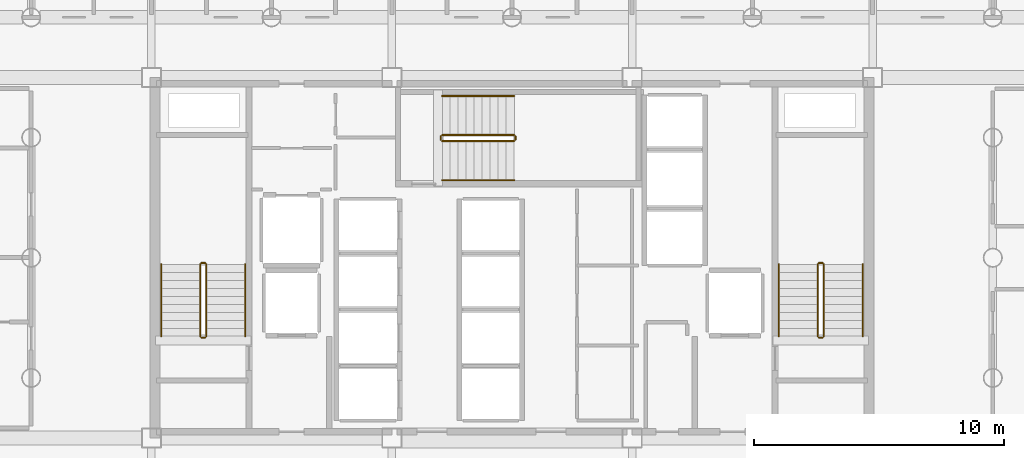
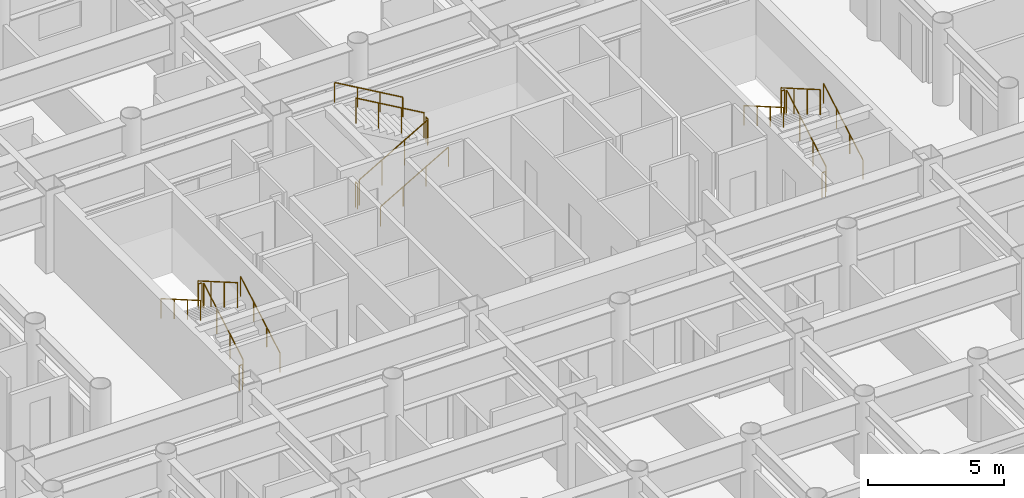
# One storey, part 21 of 21: 18 railings.
"""IFC4 building model written with IfcOpenShell, lengths in metres."""

from ifc_helpers import new_model, si_unit, direction, frame, origin, origin_2d, place, context, subcontext, project, spatial, circle, extrude, material, layer, layer_set, type_object, element, save


model = new_model("IFC4")

# Units and contexts
model_context = context("Model", 3, precision=1e-05, world=origin(), true_north=direction((0.0, 1.0)))
body_context = subcontext(model_context, "Body", "Model", "MODEL_VIEW")
ifc_project = project(units=[si_unit("LENGTHUNIT", "METRE"), si_unit("AREAUNIT", "SQUARE_METRE"), si_unit("VOLUMEUNIT", "CUBIC_METRE"), si_unit("PLANEANGLEUNIT", "RADIAN"), si_unit("MASSUNIT", "GRAM", prefix="KILO")], contexts=[model_context])

# Site, building, storey
site_placement = place(None, origin())
site = spatial("IfcSite", under=ifc_project, at=site_placement, CompositionType="ELEMENT")
building_placement = place(site_placement, origin())
building = spatial("IfcBuilding", under=site, at=building_placement, Name="Kallvorn Hotel Tower", CompositionType="ELEMENT")
storey_placement = place(building_placement, frame((0.0, 0.0, 85.5)))
storey = spatial("IfcBuildingStorey", under=building, at=storey_placement, Name="L20", CompositionType="ELEMENT", Elevation=85.5)

# Railings
ifc_material_1 = material(Name="Brushed stainless-steel tubular railing", Category="steel")
ifc_layer_1 = layer(ifc_material_1, 0.050048828125)
ifc_layer_set_1 = layer_set([ifc_layer_1], Name="RL_STAIR_GUARD")
railing_type_1 = type_object("IfcRailingType", Name="RL_STAIR_GUARD", PredefinedType="GUARDRAIL", material=ifc_layer_set_1)
railing_1_placement = place(storey_placement, frame((-12.2099609375, -3.139892578125, 0.18505859375)))
element("IfcRailing", 1, at=railing_1_placement, inside=storey, type_object=railing_type_1, Name="L20 ST1 stair guard 1", PredefinedType="GUARDRAIL", context=body_context, shape_type="SweptSolid", body=[
    extrude(circle(Radius=0.02392578125, at=origin_2d()), frame((0.0, 0.0, 1.1259765625), z_axis=(0.0, 0.865720918037, 0.500527014328), x_axis=(-1.0, 0.0, 0.0)), (0.0, 0.0, 1.0), 3.32666015625),
    extrude(circle(Radius=0.02099609375, at=origin_2d()), origin(), (0.0, 0.0, 1.0), 1.101806640625),
    extrude(circle(Radius=0.02099609375, at=origin_2d()), frame((0.0, 0.9599609375, 0.554931640625)), (0.0, 0.0, 1.0), 1.101806640625),
    extrude(circle(Radius=0.02099609375, at=origin_2d()), frame((0.0, 1.919921875, 1.110107421875)), (0.0, 0.0, 1.0), 1.101806640625),
    extrude(circle(Radius=0.02099609375, at=origin_2d()), frame((0.0, 2.8798828125, 1.6650390625)), (0.0, 0.0, 1.0), 1.101806640625),
])
railing_2_placement = place(storey_placement, frame((-12.260009765625, -0.2099609375, 1.85009765625)))
element("IfcRailing", 2, at=railing_2_placement, inside=storey, type_object=railing_type_1, Name="L20 ST1 stair guard 2", PredefinedType="GUARDRAIL", context=body_context, shape_type="SweptSolid", body=[
    extrude(circle(Radius=0.02392578125, at=origin_2d()), frame((0.0, 0.0, 1.1259765625), z_axis=(-1.0, 0.0, 0.0), x_axis=(0.0, -1.0, 0.0)), (0.0, 0.0, 1.0), 0.139892578125),
    extrude(circle(Radius=0.02099609375, at=origin_2d()), origin(), (0.0, 0.0, 1.0), 1.101806640625),
    extrude(circle(Radius=0.02099609375, at=origin_2d()), frame((-0.139892578125, 0.0, 0.0)), (0.0, 0.0, 1.0), 1.101806640625),
])
railing_3_placement = place(storey_placement, frame((-12.449951171875, -0.260009765625, 2.034912109375)))
element("IfcRailing", 3, at=railing_3_placement, inside=storey, type_object=railing_type_1, Name="L20 ST1 stair guard 3", PredefinedType="GUARDRAIL", context=body_context, shape_type="SweptSolid", body=[
    extrude(circle(Radius=0.02392578125, at=origin_2d()), frame((0.0, 0.0, 1.1259765625), z_axis=(0.0, -0.865720918037, 0.500527014328), x_axis=(1.0, 0.0, 0.0)), (0.0, 0.0, 1.0), 3.32666015625),
    extrude(circle(Radius=0.02099609375, at=origin_2d()), origin(), (0.0, 0.0, 1.0), 1.101806640625),
    extrude(circle(Radius=0.02099609375, at=origin_2d()), frame((0.0, -0.9599609375, 0.554931640625)), (0.0, 0.0, 1.0), 1.101806640625),
    extrude(circle(Radius=0.02099609375, at=origin_2d()), frame((0.0, -1.919921875, 1.110107421875)), (0.0, 0.0, 1.0), 1.101806640625),
    extrude(circle(Radius=0.02099609375, at=origin_2d()), frame((0.0, -2.8798828125, 1.6650390625)), (0.0, 0.0, 1.0), 1.101806640625),
])
railing_4_placement = place(storey_placement, frame((-12.260009765625, -3.18994140625, 0.0)))
element("IfcRailing", 4, at=railing_4_placement, inside=storey, type_object=railing_type_1, Name="L20 ST1 stair guard 4", PredefinedType="GUARDRAIL", context=body_context, shape_type="SweptSolid", body=[
    extrude(circle(Radius=0.02392578125, at=origin_2d()), frame((0.0, 0.0, 1.1259765625), z_axis=(-1.0, 0.0, 0.0), x_axis=(0.0, -1.0, 0.0)), (0.0, 0.0, 1.0), 0.139892578125),
    extrude(circle(Radius=0.02099609375, at=origin_2d()), origin(), (0.0, 0.0, 1.0), 1.101806640625),
    extrude(circle(Radius=0.02099609375, at=origin_2d()), frame((-0.139892578125, 0.0, 0.0)), (0.0, 0.0, 1.0), 1.101806640625),
])
railing_5_placement = place(storey_placement, frame((12.449951171875, -3.139892578125, 0.18505859375)))
element("IfcRailing", 5, at=railing_5_placement, inside=storey, type_object=railing_type_1, Name="L20 ST2 stair guard 1", PredefinedType="GUARDRAIL", context=body_context, shape_type="SweptSolid", body=[
    extrude(circle(Radius=0.02392578125, at=origin_2d()), frame((0.0, 0.0, 1.1259765625), z_axis=(0.0, 0.865720918037, 0.500527014328), x_axis=(-1.0, 0.0, 0.0)), (0.0, 0.0, 1.0), 3.32666015625),
    extrude(circle(Radius=0.02099609375, at=origin_2d()), origin(), (0.0, 0.0, 1.0), 1.101806640625),
    extrude(circle(Radius=0.02099609375, at=origin_2d()), frame((0.0, 0.9599609375, 0.554931640625)), (0.0, 0.0, 1.0), 1.101806640625),
    extrude(circle(Radius=0.02099609375, at=origin_2d()), frame((0.0, 1.919921875, 1.110107421875)), (0.0, 0.0, 1.0), 1.101806640625),
    extrude(circle(Radius=0.02099609375, at=origin_2d()), frame((0.0, 2.8798828125, 1.6650390625)), (0.0, 0.0, 1.0), 1.101806640625),
])
railing_6_placement = place(storey_placement, frame((12.39990234375, -0.2099609375, 1.85009765625)))
element("IfcRailing", 6, at=railing_6_placement, inside=storey, type_object=railing_type_1, Name="L20 ST2 stair guard 2", PredefinedType="GUARDRAIL", context=body_context, shape_type="SweptSolid", body=[
    extrude(circle(Radius=0.02392578125, at=origin_2d()), frame((0.0, 0.0, 1.1259765625), z_axis=(-1.0, 0.0, 0.0), x_axis=(0.0, -1.0, 0.0)), (0.0, 0.0, 1.0), 0.139892578125),
    extrude(circle(Radius=0.02099609375, at=origin_2d()), origin(), (0.0, 0.0, 1.0), 1.101806640625),
    extrude(circle(Radius=0.02099609375, at=origin_2d()), frame((-0.139892578125, 0.0, 0.0)), (0.0, 0.0, 1.0), 1.101806640625),
])
railing_7_placement = place(storey_placement, frame((12.2099609375, -0.260009765625, 2.034912109375)))
element("IfcRailing", 7, at=railing_7_placement, inside=storey, type_object=railing_type_1, Name="L20 ST2 stair guard 3", PredefinedType="GUARDRAIL", context=body_context, shape_type="SweptSolid", body=[
    extrude(circle(Radius=0.02392578125, at=origin_2d()), frame((0.0, 0.0, 1.1259765625), z_axis=(0.0, -0.865720918037, 0.500527014328), x_axis=(1.0, 0.0, 0.0)), (0.0, 0.0, 1.0), 3.32666015625),
    extrude(circle(Radius=0.02099609375, at=origin_2d()), origin(), (0.0, 0.0, 1.0), 1.101806640625),
    extrude(circle(Radius=0.02099609375, at=origin_2d()), frame((0.0, -0.9599609375, 0.554931640625)), (0.0, 0.0, 1.0), 1.101806640625),
    extrude(circle(Radius=0.02099609375, at=origin_2d()), frame((0.0, -1.919921875, 1.110107421875)), (0.0, 0.0, 1.0), 1.101806640625),
    extrude(circle(Radius=0.02099609375, at=origin_2d()), frame((0.0, -2.8798828125, 1.6650390625)), (0.0, 0.0, 1.0), 1.101806640625),
])
railing_8_placement = place(storey_placement, frame((12.39990234375, -3.18994140625, 0.0)))
element("IfcRailing", 8, at=railing_8_placement, inside=storey, type_object=railing_type_1, Name="L20 ST2 stair guard 4", PredefinedType="GUARDRAIL", context=body_context, shape_type="SweptSolid", body=[
    extrude(circle(Radius=0.02392578125, at=origin_2d()), frame((0.0, 0.0, 1.1259765625), z_axis=(-1.0, 0.0, 0.0), x_axis=(0.0, -1.0, 0.0)), (0.0, 0.0, 1.0), 0.139892578125),
    extrude(circle(Radius=0.02099609375, at=origin_2d()), origin(), (0.0, 0.0, 1.0), 1.101806640625),
    extrude(circle(Radius=0.02099609375, at=origin_2d()), frame((-0.139892578125, 0.0, 0.0)), (0.0, 0.0, 1.0), 1.101806640625),
])
railing_9_placement = place(storey_placement, frame((-2.7900390625, 4.659912109375, 0.18505859375)))
element("IfcRailing", 9, at=railing_9_placement, inside=storey, type_object=railing_type_1, Name="L20 ST3 stair guard 1", PredefinedType="GUARDRAIL", context=body_context, shape_type="SweptSolid", body=[
    extrude(circle(Radius=0.02392578125, at=origin_2d()), frame((0.0, 0.0, 1.1259765625), z_axis=(0.865739302748, 0.0, 0.50049521444), x_axis=(0.0, 1.0, 0.0)), (0.0, 0.0, 1.0), 3.326904296875),
    extrude(circle(Radius=0.02099609375, at=origin_2d()), origin(), (0.0, 0.0, 1.0), 1.101806640625),
    extrude(circle(Radius=0.02099609375, at=origin_2d()), frame((0.9599609375, 0.0, 0.554931640625)), (0.0, 0.0, 1.0), 1.101806640625),
    extrude(circle(Radius=0.02099609375, at=origin_2d()), frame((1.920166015625, 0.0, 1.110107421875)), (0.0, 0.0, 1.0), 1.101806640625),
    extrude(circle(Radius=0.02099609375, at=origin_2d()), frame((2.880126953125, 0.0, 1.6650390625)), (0.0, 0.0, 1.0), 1.101806640625),
])
railing_10_placement = place(storey_placement, frame((0.139892578125, 4.7099609375, 1.85009765625)))
element("IfcRailing", 10, at=railing_10_placement, inside=storey, type_object=railing_type_1, Name="L20 ST3 stair guard 2", PredefinedType="GUARDRAIL", context=body_context, shape_type="SweptSolid", body=[
    extrude(circle(Radius=0.02392578125, at=origin_2d()), frame((0.0, 0.0, 1.1259765625), z_axis=(0.0, 1.0, 0.0), x_axis=(-1.0, 0.0, 0.0)), (0.0, 0.0, 1.0), 0.14013671875),
    extrude(circle(Radius=0.02099609375, at=origin_2d()), origin(), (0.0, 0.0, 1.0), 1.101806640625),
    extrude(circle(Radius=0.02099609375, at=origin_2d()), frame((0.0, 0.14013671875, 0.0)), (0.0, 0.0, 1.0), 1.101806640625),
])
railing_11_placement = place(storey_placement, frame((0.090087890625, 4.89990234375, 2.034912109375)))
element("IfcRailing", 11, at=railing_11_placement, inside=storey, type_object=railing_type_1, Name="L20 ST3 stair guard 3", PredefinedType="GUARDRAIL", context=body_context, shape_type="SweptSolid", body=[
    extrude(circle(Radius=0.02392578125, at=origin_2d()), frame((0.0, 0.0, 1.1259765625), z_axis=(-0.865739302748, 0.0, 0.50049521444), x_axis=(0.0, -1.0, 0.0)), (0.0, 0.0, 1.0), 3.326904296875),
    extrude(circle(Radius=0.02099609375, at=origin_2d()), origin(), (0.0, 0.0, 1.0), 1.101806640625),
    extrude(circle(Radius=0.02099609375, at=origin_2d()), frame((-0.9599609375, 0.0, 0.554931640625)), (0.0, 0.0, 1.0), 1.101806640625),
    extrude(circle(Radius=0.02099609375, at=origin_2d()), frame((-1.920166015625, 0.0, 1.110107421875)), (0.0, 0.0, 1.0), 1.101806640625),
    extrude(circle(Radius=0.02099609375, at=origin_2d()), frame((-2.880126953125, 0.0, 1.6650390625)), (0.0, 0.0, 1.0), 1.101806640625),
])
railing_12_placement = place(storey_placement, frame((-2.840087890625, 4.7099609375, 0.0)))
element("IfcRailing", 12, at=railing_12_placement, inside=storey, type_object=railing_type_1, Name="L20 ST3 stair guard 4", PredefinedType="GUARDRAIL", context=body_context, shape_type="SweptSolid", body=[
    extrude(circle(Radius=0.02392578125, at=origin_2d()), frame((0.0, 0.0, 1.1259765625), z_axis=(0.0, 1.0, 0.0), x_axis=(-1.0, 0.0, 0.0)), (0.0, 0.0, 1.0), 0.14013671875),
    extrude(circle(Radius=0.02099609375, at=origin_2d()), origin(), (0.0, 0.0, 1.0), 1.101806640625),
    extrude(circle(Radius=0.02099609375, at=origin_2d()), frame((0.0, 0.14013671875, 0.0)), (0.0, 0.0, 1.0), 1.101806640625),
])
ifc_material_2 = material(Name="Brushed stainless-steel tubular railing", Category="steel")
ifc_layer_2 = layer(ifc_material_2, 0.050048828125)
ifc_layer_set_2 = layer_set([ifc_layer_2], Name="RL_STAIR_HAND")
railing_type_2 = type_object("IfcRailingType", Name="RL_STAIR_HAND", PredefinedType="HANDRAIL", material=ifc_layer_set_2)
railing_13_placement = place(storey_placement, frame((-10.64990234375, -3.139892578125, 0.18505859375)))
element("IfcRailing", 13, at=railing_13_placement, inside=storey, type_object=railing_type_2, Name="L20 ST1 stair handrail 1", PredefinedType="HANDRAIL", context=body_context, shape_type="SweptSolid", body=[
    extrude(circle(Radius=0.02392578125, at=origin_2d()), frame((0.0, 0.0, 0.8759765625), z_axis=(0.0, 0.865720918037, 0.500527014328), x_axis=(-1.0, 0.0, 0.0)), (0.0, 0.0, 1.0), 3.32666015625),
    extrude(circle(Radius=0.02099609375, at=origin_2d()), origin(), (0.0, 0.0, 1.0), 0.851806640625),
    extrude(circle(Radius=0.02099609375, at=origin_2d()), frame((0.0, 0.9599609375, 0.554931640625)), (0.0, 0.0, 1.0), 0.851806640625),
    extrude(circle(Radius=0.02099609375, at=origin_2d()), frame((0.0, 1.919921875, 1.110107421875)), (0.0, 0.0, 1.0), 0.851806640625),
    extrude(circle(Radius=0.02099609375, at=origin_2d()), frame((0.0, 2.8798828125, 1.6650390625)), (0.0, 0.0, 1.0), 0.851806640625),
])
railing_14_placement = place(storey_placement, frame((-14.010009765625, -0.260009765625, 2.034912109375)))
element("IfcRailing", 14, at=railing_14_placement, inside=storey, type_object=railing_type_2, Name="L20 ST1 stair handrail 2", PredefinedType="HANDRAIL", context=body_context, shape_type="SweptSolid", body=[
    extrude(circle(Radius=0.02392578125, at=origin_2d()), frame((0.0, 0.0, 0.8759765625), z_axis=(0.0, -0.865720918037, 0.500527014328), x_axis=(1.0, 0.0, 0.0)), (0.0, 0.0, 1.0), 3.32666015625),
    extrude(circle(Radius=0.02099609375, at=origin_2d()), origin(), (0.0, 0.0, 1.0), 0.851806640625),
    extrude(circle(Radius=0.02099609375, at=origin_2d()), frame((0.0, -0.9599609375, 0.554931640625)), (0.0, 0.0, 1.0), 0.851806640625),
    extrude(circle(Radius=0.02099609375, at=origin_2d()), frame((0.0, -1.919921875, 1.110107421875)), (0.0, 0.0, 1.0), 0.851806640625),
    extrude(circle(Radius=0.02099609375, at=origin_2d()), frame((0.0, -2.8798828125, 1.6650390625)), (0.0, 0.0, 1.0), 0.851806640625),
])
railing_15_placement = place(storey_placement, frame((14.010009765625, -3.139892578125, 0.18505859375)))
element("IfcRailing", 15, at=railing_15_placement, inside=storey, type_object=railing_type_2, Name="L20 ST2 stair handrail 1", PredefinedType="HANDRAIL", context=body_context, shape_type="SweptSolid", body=[
    extrude(circle(Radius=0.02392578125, at=origin_2d()), frame((0.0, 0.0, 0.8759765625), z_axis=(0.0, 0.865720918037, 0.500527014328), x_axis=(-1.0, 0.0, 0.0)), (0.0, 0.0, 1.0), 3.32666015625),
    extrude(circle(Radius=0.02099609375, at=origin_2d()), origin(), (0.0, 0.0, 1.0), 0.851806640625),
    extrude(circle(Radius=0.02099609375, at=origin_2d()), frame((0.0, 0.9599609375, 0.554931640625)), (0.0, 0.0, 1.0), 0.851806640625),
    extrude(circle(Radius=0.02099609375, at=origin_2d()), frame((0.0, 1.919921875, 1.110107421875)), (0.0, 0.0, 1.0), 0.851806640625),
    extrude(circle(Radius=0.02099609375, at=origin_2d()), frame((0.0, 2.8798828125, 1.6650390625)), (0.0, 0.0, 1.0), 0.851806640625),
])
railing_16_placement = place(storey_placement, frame((10.64990234375, -0.260009765625, 2.034912109375)))
element("IfcRailing", 16, at=railing_16_placement, inside=storey, type_object=railing_type_2, Name="L20 ST2 stair handrail 2", PredefinedType="HANDRAIL", context=body_context, shape_type="SweptSolid", body=[
    extrude(circle(Radius=0.02392578125, at=origin_2d()), frame((0.0, 0.0, 0.8759765625), z_axis=(0.0, -0.865720918037, 0.500527014328), x_axis=(1.0, 0.0, 0.0)), (0.0, 0.0, 1.0), 3.32666015625),
    extrude(circle(Radius=0.02099609375, at=origin_2d()), origin(), (0.0, 0.0, 1.0), 0.851806640625),
    extrude(circle(Radius=0.02099609375, at=origin_2d()), frame((0.0, -0.9599609375, 0.554931640625)), (0.0, 0.0, 1.0), 0.851806640625),
    extrude(circle(Radius=0.02099609375, at=origin_2d()), frame((0.0, -1.919921875, 1.110107421875)), (0.0, 0.0, 1.0), 0.851806640625),
    extrude(circle(Radius=0.02099609375, at=origin_2d()), frame((0.0, -2.8798828125, 1.6650390625)), (0.0, 0.0, 1.0), 0.851806640625),
])
railing_17_placement = place(storey_placement, frame((-2.7900390625, 3.10009765625, 0.18505859375)))
element("IfcRailing", 17, at=railing_17_placement, inside=storey, type_object=railing_type_2, Name="L20 ST3 stair handrail 1", PredefinedType="HANDRAIL", context=body_context, shape_type="SweptSolid", body=[
    extrude(circle(Radius=0.02392578125, at=origin_2d()), frame((0.0, 0.0, 0.8759765625), z_axis=(0.865739302748, 0.0, 0.50049521444), x_axis=(0.0, 1.0, 0.0)), (0.0, 0.0, 1.0), 3.326904296875),
    extrude(circle(Radius=0.02099609375, at=origin_2d()), origin(), (0.0, 0.0, 1.0), 0.851806640625),
    extrude(circle(Radius=0.02099609375, at=origin_2d()), frame((0.9599609375, 0.0, 0.554931640625)), (0.0, 0.0, 1.0), 0.851806640625),
    extrude(circle(Radius=0.02099609375, at=origin_2d()), frame((1.920166015625, 0.0, 1.110107421875)), (0.0, 0.0, 1.0), 0.851806640625),
    extrude(circle(Radius=0.02099609375, at=origin_2d()), frame((2.880126953125, 0.0, 1.6650390625)), (0.0, 0.0, 1.0), 0.851806640625),
])
railing_18_placement = place(storey_placement, frame((0.090087890625, 6.4599609375, 2.034912109375)))
element("IfcRailing", 18, at=railing_18_placement, inside=storey, type_object=railing_type_2, Name="L20 ST3 stair handrail 2", PredefinedType="HANDRAIL", context=body_context, shape_type="SweptSolid", body=[
    extrude(circle(Radius=0.02392578125, at=origin_2d()), frame((0.0, 0.0, 0.8759765625), z_axis=(-0.865739302748, 0.0, 0.50049521444), x_axis=(0.0, -1.0, 0.0)), (0.0, 0.0, 1.0), 3.326904296875),
    extrude(circle(Radius=0.02099609375, at=origin_2d()), origin(), (0.0, 0.0, 1.0), 0.851806640625),
    extrude(circle(Radius=0.02099609375, at=origin_2d()), frame((-0.9599609375, 0.0, 0.554931640625)), (0.0, 0.0, 1.0), 0.851806640625),
    extrude(circle(Radius=0.02099609375, at=origin_2d()), frame((-1.920166015625, 0.0, 1.110107421875)), (0.0, 0.0, 1.0), 0.851806640625),
    extrude(circle(Radius=0.02099609375, at=origin_2d()), frame((-2.880126953125, 0.0, 1.6650390625)), (0.0, 0.0, 1.0), 0.851806640625),
])

save(model, "model.ifc")
